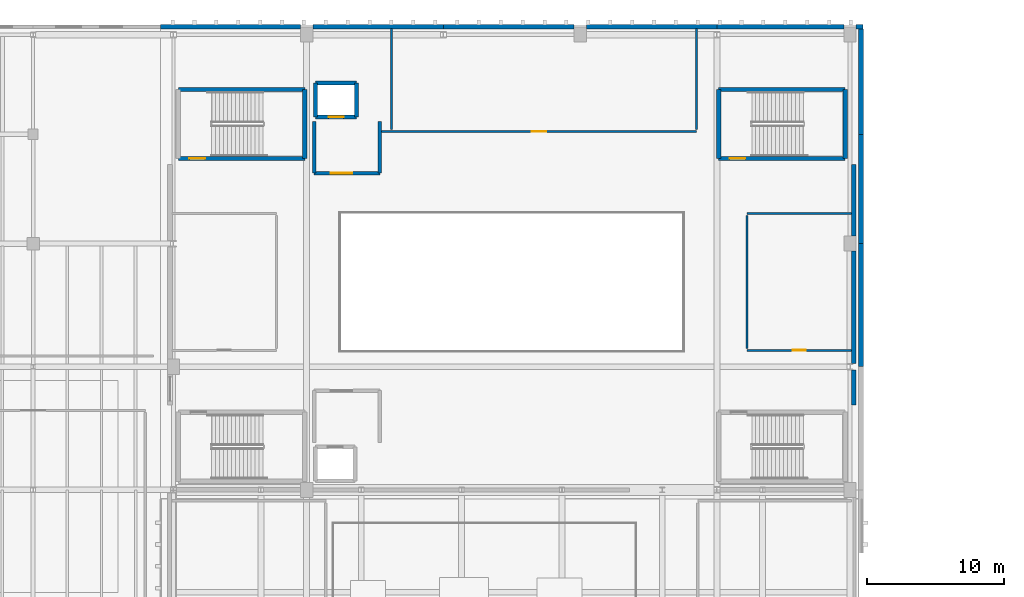
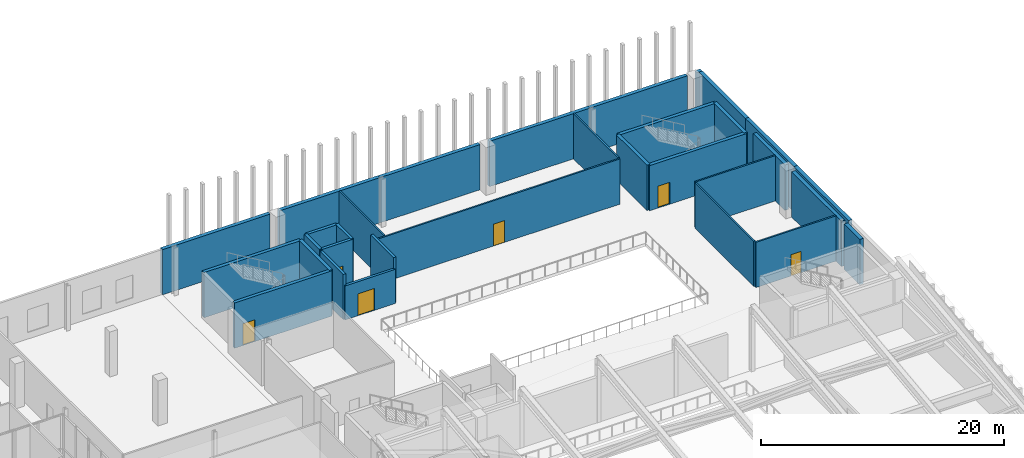
# One storey, part 22 of 30: 32 walls, 6 doors, 6 openings.
"""IFC4 building model written with IfcOpenShell, lengths in metres."""

from ifc_helpers import new_model, si_unit, direction, frame, frame_2d, origin, place, context, subcontext, project, spatial, rectangle, extrude, material, layer, layer_set, type_object, element, fill, save


model = new_model("IFC4")

# Units and contexts
model_context = context("Model", 3, precision=1e-05, world=origin(), true_north=direction((0.0, 1.0)))
body_context = subcontext(model_context, "Body", "Model", "MODEL_VIEW")
ifc_project = project(units=[si_unit("LENGTHUNIT", "METRE"), si_unit("AREAUNIT", "SQUARE_METRE"), si_unit("VOLUMEUNIT", "CUBIC_METRE"), si_unit("PLANEANGLEUNIT", "RADIAN"), si_unit("MASSUNIT", "GRAM", prefix="KILO")], contexts=[model_context])

# Site, building, storey
site_placement = place(None, origin())
site = spatial("IfcSite", under=ifc_project, at=site_placement, CompositionType="ELEMENT")
building_placement = place(site_placement, origin())
building = spatial("IfcBuilding", under=site, at=building_placement, Name="Trimount Lyric Opera House", CompositionType="ELEMENT")
storey_placement = place(building_placement, frame((0.0, 0.0, 24.800048828125)))
storey = spatial("IfcBuildingStorey", under=building, at=storey_placement, Name="L05", CompositionType="ELEMENT", Elevation=24.800048828125)

# Wall, opening, door
ifc_material_1 = material(Name="Fire-Rated Gypsum Board Partition")
ifc_layer_1 = layer(ifc_material_1, 0.14990234375)
ifc_layer_set_1 = layer_set([ifc_layer_1], Name="WL-PT150")
wall_type_1 = type_object("IfcWallType", Name="WL-PT150", PredefinedType="PARTITIONING", material=ifc_layer_set_1)
wall_1_placement = place(storey_placement, frame((106.199951171875, 94.199951171875, 0.0), z_axis=(0.0, 0.0, 1.0), x_axis=(1.0, 0.0, 0.0)))
wall_1 = element("IfcWall", 1, at=wall_1_placement, inside=storey, type_object=wall_type_1, Name="L05 East Counterweight Fly Gallery S partition", PredefinedType="PARTITIONING", context=body_context, shape_type="SweptSolid", body=[
    extrude(rectangle(XDim=7.66015625, YDim=0.14990234375, at=frame_2d((3.830078125, 0.0))), origin(), (0.0, 0.0, 1.0), 4.56005859375),
])
opening_1_placement = place(wall_1_placement, frame((3.35498046875, 0.0, 0.0)))
opening_1 = element("IfcOpeningElement", 2, at=opening_1_placement, cuts=wall_1, Name="Opening DT-RM2", PredefinedType="OPENING", context=body_context, shape_type="SweptSolid", body=[
    extrude(rectangle(XDim=0.949951171875, YDim=2.14990234375, at=frame_2d((0.47509765625, 1.074951171875))), frame((0.0, 0.0849609375, 0.0), z_axis=(0.0, -1.0, 0.0), x_axis=(1.0, 0.0, 0.0)), (0.0, 0.0, 1.0), 0.169921875),
])
ifc_material_2 = material(Name="Solid Core White Oak")
door_type_1 = type_object("IfcDoorType", Name="DT-RM2", OperationType="NOTDEFINED", PredefinedType="DOOR", material=ifc_material_2)
door_1_placement = place(opening_1_placement, origin())
door_1 = element("IfcDoor", 3, at=door_1_placement, inside=storey, type_object=door_type_1, Name="D-247", OperationType="SINGLE_SWING_LEFT", OverallHeight=2.14990234375, OverallWidth=0.949951171875, PredefinedType="DOOR", context=body_context, shape_type="SweptSolid", body=[
    extrude(rectangle(XDim=0.949951171875, YDim=2.14990234375, at=frame_2d((0.47509765625, 1.074951171875))), frame((0.0, 0.02490234375, 0.0), z_axis=(0.0, -1.0, 0.0), x_axis=(1.0, 0.0, 0.0)), (0.0, 0.0, 1.0), 0.050048828125),
])
fill(opening_1, door_1)

# Walls
wall_2_placement = place(storey_placement, frame((113.860107421875, 104.199951171875, 0.0), z_axis=(0.0, 0.0, 1.0), x_axis=(-1.0, 0.0, 0.0)))
element("IfcWall", 4, at=wall_2_placement, inside=storey, type_object=wall_type_1, Name="L05 East Counterweight Fly Gallery N partition", PredefinedType="PARTITIONING", context=body_context, shape_type="SweptSolid", body=[
    extrude(rectangle(XDim=7.66015625, YDim=0.14990234375, at=frame_2d((3.830078125, 0.0))), origin(), (0.0, 0.0, 1.0), 4.56005859375),
])
wall_3_placement = place(storey_placement, frame((106.199951171875, 104.050048828125, 0.0), z_axis=(0.0, 0.0, 1.0), x_axis=(0.0, -1.0, 0.0)))
element("IfcWall", 5, at=wall_3_placement, inside=storey, type_object=wall_type_1, Name="L05 East Counterweight Fly Gallery W partition", PredefinedType="PARTITIONING", context=body_context, shape_type="SweptSolid", body=[
    extrude(rectangle(XDim=9.699951171875, YDim=0.14990234375, at=frame_2d((4.85009765625, 0.0))), origin(), (0.0, 0.0, 1.0), 4.56005859375),
])

# Wall, opening, door
wall_4_placement = place(storey_placement, frame((79.489990234375, 110.199951171875, 0.0), z_axis=(0.0, 0.0, 1.0), x_axis=(1.0, 0.0, 0.0)))
wall_4 = element("IfcWall", 6, at=wall_4_placement, inside=storey, type_object=wall_type_1, Name="L05 Upstage Scenery Rigging Loft S partition", PredefinedType="PARTITIONING", context=body_context, shape_type="SweptSolid", body=[
    extrude(rectangle(XDim=23.010009765625, YDim=0.14990234375, at=frame_2d((11.5048828125, 0.0))), origin(), (0.0, 0.0, 1.0), 4.56005859375),
])
opening_2_placement = place(wall_4_placement, frame((10.97998046875, 0.0, 0.0)))
opening_2 = element("IfcOpeningElement", 7, at=opening_2_placement, cuts=wall_4, Name="Opening DT-RM3", PredefinedType="OPENING", context=body_context, shape_type="SweptSolid", body=[
    extrude(rectangle(XDim=1.050048828125, YDim=2.199951171875, at=frame_2d((0.52490234375, 1.10009765625))), frame((0.0, 0.0849609375, 0.0), z_axis=(0.0, -1.0, 0.0), x_axis=(1.0, 0.0, 0.0)), (0.0, 0.0, 1.0), 0.169921875),
])
ifc_material_3 = material(Name="Solid Core White Oak")
door_type_2 = type_object("IfcDoorType", Name="DT-RM3", OperationType="NOTDEFINED", PredefinedType="DOOR", material=ifc_material_3)
door_2_placement = place(opening_2_placement, origin())
door_2 = element("IfcDoor", 8, at=door_2_placement, inside=storey, type_object=door_type_2, Name="D-248", OperationType="SINGLE_SWING_RIGHT", OverallHeight=2.199951171875, OverallWidth=1.050048828125, PredefinedType="DOOR", context=body_context, shape_type="SweptSolid", body=[
    extrude(rectangle(XDim=1.050048828125, YDim=2.199951171875, at=frame_2d((0.52490234375, 1.10009765625))), frame((0.0, 0.02490234375, 0.0), z_axis=(0.0, -1.0, 0.0), x_axis=(1.0, 0.0, 0.0)), (0.0, 0.0, 1.0), 0.050048828125),
])
fill(opening_2, door_2)

# Walls
for number, where, z_axis, x_axis, name in (
    (9, (80.199951171875, 117.719970703125, 0.0), (0.0, 0.0, 1.0), (0.0, -1.0, 0.0), "L05 Upstage Scenery Rigging Loft W partition"),
    (10, (102.5, 110.35009765625, 0.0), (0.0, 0.0, 1.0), (0.0, 1.0, 0.0), "L05 Upstage Scenery Rigging Loft E partition"),
):
    element("IfcWall", number, at=place(storey_placement, frame(where, z_axis=z_axis, x_axis=x_axis)), inside=storey, type_object=wall_type_1, Name=name, PredefinedType="PARTITIONING", context=body_context, shape_type="SweptSolid", body=[
        extrude(rectangle(XDim=7.369873046875, YDim=0.14990234375, at=frame_2d((3.68505859375, 0.0))), origin(), (0.0, 0.0, 1.0), 4.56005859375),
    ])

# Wall, opening, door
ifc_material_4 = material(Name="Concrete C40/50", Category="concrete")
ifc_layer_2 = layer(ifc_material_4, 0.280029296875)
ifc_layer_set_2 = layer_set([ifc_layer_2], Name="WL-SH280")
wall_type_2 = type_object("IfcWallType", Name="WL-SH280", PredefinedType="SHEAR", material=ifc_layer_set_2)
wall_5_placement = place(storey_placement, frame((74.659912109375, 111.260009765625, 0.0), z_axis=(0.0, 0.0, 1.0), x_axis=(1.0, 0.0, 0.0)))
wall_5 = element("IfcWall", 11, at=wall_5_placement, inside=storey, type_object=wall_type_2, Name="Lift LF-05 L05 south shaft wall", PredefinedType="SHEAR", context=body_context, shape_type="SweptSolid", body=[
    extrude(rectangle(XDim=2.97998046875, YDim=0.280029296875, at=frame_2d((1.489990234375, 0.0))), origin(), (0.0, 0.0, 1.0), 4.56005859375),
])
opening_3_placement = place(wall_5_placement, frame((0.93994140625, 0.0, 0.0)))
opening_3 = element("IfcOpeningElement", 12, at=opening_3_placement, cuts=wall_5, Name="Opening DT-LD1", PredefinedType="OPENING", context=body_context, shape_type="SweptSolid", body=[
    extrude(rectangle(XDim=1.10009765625, YDim=2.199951171875, at=frame_2d((0.550048828125, 1.10009765625))), frame((0.0, 0.14990234375, 0.0), z_axis=(0.0, -1.0, 0.0), x_axis=(1.0, 0.0, 0.0)), (0.0, 0.0, 1.0), 0.300048828125),
])
ifc_material_5 = material(Name="Brushed Stainless Steel", Category="steel")
door_type_3 = type_object("IfcDoorType", Name="DT-LD1", OperationType="SLIDING_TO_LEFT", PredefinedType="DOOR", material=ifc_material_5)
door_3_placement = place(opening_3_placement, origin())
door_3 = element("IfcDoor", 13, at=door_3_placement, inside=storey, type_object=door_type_3, Name="D-103", OperationType="SLIDING_TO_LEFT", OverallHeight=2.199951171875, OverallWidth=1.10009765625, PredefinedType="DOOR", context=body_context, shape_type="SweptSolid", body=[
    extrude(rectangle(XDim=1.10009765625, YDim=2.199951171875, at=frame_2d((0.550048828125, 1.10009765625))), frame((0.0, 0.02490234375, 0.0), z_axis=(0.0, -1.0, 0.0), x_axis=(1.0, 0.0, 0.0)), (0.0, 0.0, 1.0), 0.050048828125),
])
fill(opening_3, door_3)

# Walls
wall_6_placement = place(storey_placement, frame((77.639892578125, 113.739990234375, 0.0), z_axis=(0.0, 0.0, 1.0), x_axis=(-1.0, 0.0, 0.0)))
element("IfcWall", 14, at=wall_6_placement, inside=storey, type_object=wall_type_2, Name="Lift LF-05 L05 north shaft wall", PredefinedType="SHEAR", context=body_context, shape_type="SweptSolid", body=[
    extrude(rectangle(XDim=2.97998046875, YDim=0.280029296875, at=frame_2d((1.489990234375, 0.0))), origin(), (0.0, 0.0, 1.0), 4.56005859375),
])
for number, where, z_axis, x_axis, name in (
    (15, (74.659912109375, 113.739990234375, 0.0), (0.0, 0.0, 1.0), (0.0, -1.0, 0.0), "Lift LF-05 L05 west shaft wall"),
    (16, (77.639892578125, 111.260009765625, 0.0), (0.0, 0.0, 1.0), (0.0, 1.0, 0.0), "Lift LF-05 L05 east shaft wall"),
):
    element("IfcWall", number, at=place(storey_placement, frame(where, z_axis=z_axis, x_axis=x_axis)), inside=storey, type_object=wall_type_2, Name=name, PredefinedType="SHEAR", context=body_context, shape_type="SweptSolid", body=[
        extrude(rectangle(XDim=2.47998046875, YDim=0.280029296875, at=frame_2d((1.239990234375, 0.0))), origin(), (0.0, 0.0, 1.0), 4.56005859375),
    ])

# Wall, opening, door
ifc_material_6 = material(Name="Concrete C40/50", Category="concrete")
ifc_layer_3 = layer(ifc_material_6, 0.320068359375)
ifc_layer_set_3 = layer_set([ifc_layer_3], Name="WL-SH320")
wall_type_3 = type_object("IfcWallType", Name="WL-SH320", PredefinedType="SHEAR", material=ifc_layer_set_3)
wall_7_placement = place(storey_placement, frame((64.625, 108.22509765625, 0.0), z_axis=(0.0, 0.0, 1.0), x_axis=(1.0, 0.0, 0.0)))
wall_7 = element("IfcWall", 17, at=wall_7_placement, inside=storey, type_object=wall_type_3, Name="K1 L05 south shaft wall", PredefinedType="SHEAR", context=body_context, shape_type="SweptSolid", body=[
    extrude(rectangle(XDim=9.25, YDim=0.320068359375, at=frame_2d((4.625, 0.0))), origin(), (0.0, 0.0, 1.0), 4.56005859375),
])
opening_4_placement = place(wall_7_placement, frame((0.800048828125, 0.0, 0.0)))
opening_4 = element("IfcOpeningElement", 18, at=opening_4_placement, cuts=wall_7, Name="Opening DT-ST1", PredefinedType="OPENING", context=body_context, shape_type="SweptSolid", body=[
    extrude(rectangle(XDim=1.14990234375, YDim=2.199951171875, at=frame_2d((0.574951171875, 1.10009765625))), frame((0.0, 0.169921875, 0.0), z_axis=(0.0, -1.0, 0.0), x_axis=(1.0, 0.0, 0.0)), (0.0, 0.0, 1.0), 0.340087890625),
])
ifc_material_7 = material(Name="Fire-Rated Hollow Steel", Category="steel")
door_type_4 = type_object("IfcDoorType", Name="DT-ST1", OperationType="NOTDEFINED", PredefinedType="DOOR", material=ifc_material_7)
door_4_placement = place(opening_4_placement, origin())
door_4 = element("IfcDoor", 19, at=door_4_placement, inside=storey, type_object=door_type_4, Name="D-013", OperationType="SINGLE_SWING_LEFT", OverallHeight=2.199951171875, OverallWidth=1.14990234375, PredefinedType="DOOR", context=body_context, shape_type="SweptSolid", body=[
    extrude(rectangle(XDim=1.14990234375, YDim=2.199951171875, at=frame_2d((0.574951171875, 1.10009765625))), frame((0.0, 0.02490234375, 0.0), z_axis=(0.0, -1.0, 0.0), x_axis=(1.0, 0.0, 0.0)), (0.0, 0.0, 1.0), 0.050048828125),
])
fill(opening_4, door_4)

# Walls
wall_8_placement = place(storey_placement, frame((73.875, 113.27490234375, 0.0), z_axis=(0.0, 0.0, 1.0), x_axis=(-1.0, 0.0, 0.0)))
element("IfcWall", 20, at=wall_8_placement, inside=storey, type_object=wall_type_3, Name="K1 L05 north shaft wall", PredefinedType="SHEAR", context=body_context, shape_type="SweptSolid", body=[
    extrude(rectangle(XDim=9.25, YDim=0.320068359375, at=frame_2d((4.625, 0.0))), origin(), (0.0, 0.0, 1.0), 4.56005859375),
])
wall_9_placement = place(storey_placement, frame((73.875, 108.22509765625, 0.0), z_axis=(0.0, 0.0, 1.0), x_axis=(0.0, 1.0, 0.0)))
element("IfcWall", 21, at=wall_9_placement, inside=storey, type_object=wall_type_3, Name="K1 L05 east shaft wall", PredefinedType="SHEAR", context=body_context, shape_type="SweptSolid", body=[
    extrude(rectangle(XDim=5.0498046875, YDim=0.320068359375, at=frame_2d((2.52490234375, 0.0))), origin(), (0.0, 0.0, 1.0), 4.56005859375),
])

# Wall, opening, door
wall_10_placement = place(storey_placement, frame((104.125, 108.22509765625, 0.0), z_axis=(0.0, 0.0, 1.0), x_axis=(1.0, 0.0, 0.0)))
wall_10 = element("IfcWall", 22, at=wall_10_placement, inside=storey, type_object=wall_type_3, Name="K2 L05 south shaft wall", PredefinedType="SHEAR", context=body_context, shape_type="SweptSolid", body=[
    extrude(rectangle(XDim=9.25, YDim=0.320068359375, at=frame_2d((4.625, 0.0))), origin(), (0.0, 0.0, 1.0), 4.56005859375),
])
opening_5_placement = place(wall_10_placement, frame((0.800048828125, 0.0, 0.0)))
opening_5 = element("IfcOpeningElement", 23, at=opening_5_placement, cuts=wall_10, Name="Opening DT-ST1", PredefinedType="OPENING", context=body_context, shape_type="SweptSolid", body=[
    extrude(rectangle(XDim=1.14990234375, YDim=2.199951171875, at=frame_2d((0.574951171875, 1.10009765625))), frame((0.0, 0.169921875, 0.0), z_axis=(0.0, -1.0, 0.0), x_axis=(1.0, 0.0, 0.0)), (0.0, 0.0, 1.0), 0.340087890625),
])
door_5_placement = place(opening_5_placement, origin())
door_5 = element("IfcDoor", 24, at=door_5_placement, inside=storey, type_object=door_type_4, Name="D-021", OperationType="SINGLE_SWING_LEFT", OverallHeight=2.199951171875, OverallWidth=1.14990234375, PredefinedType="DOOR", context=body_context, shape_type="SweptSolid", body=[
    extrude(rectangle(XDim=1.14990234375, YDim=2.199951171875, at=frame_2d((0.574951171875, 1.10009765625))), frame((0.0, 0.02490234375, 0.0), z_axis=(0.0, -1.0, 0.0), x_axis=(1.0, 0.0, 0.0)), (0.0, 0.0, 1.0), 0.050048828125),
])
fill(opening_5, door_5)

# Walls
wall_11_placement = place(storey_placement, frame((113.375, 113.27490234375, 0.0), z_axis=(0.0, 0.0, 1.0), x_axis=(-1.0, 0.0, 0.0)))
element("IfcWall", 25, at=wall_11_placement, inside=storey, type_object=wall_type_3, Name="K2 L05 north shaft wall", PredefinedType="SHEAR", context=body_context, shape_type="SweptSolid", body=[
    extrude(rectangle(XDim=9.25, YDim=0.320068359375, at=frame_2d((4.625, 0.0))), origin(), (0.0, 0.0, 1.0), 4.56005859375),
])
for number, where, z_axis, x_axis, name in (
    (26, (104.125, 113.27490234375, 0.0), (0.0, 0.0, 1.0), (0.0, -1.0, 0.0), "K2 L05 west shaft wall"),
    (27, (113.375, 108.22509765625, 0.0), (0.0, 0.0, 1.0), (0.0, 1.0, 0.0), "K2 L05 east shaft wall"),
):
    element("IfcWall", number, at=place(storey_placement, frame(where, z_axis=z_axis, x_axis=x_axis)), inside=storey, type_object=wall_type_3, Name=name, PredefinedType="SHEAR", context=body_context, shape_type="SweptSolid", body=[
        extrude(rectangle(XDim=5.0498046875, YDim=0.320068359375, at=frame_2d((2.52490234375, 0.0))), origin(), (0.0, 0.0, 1.0), 4.56005859375),
    ])
ifc_material_8 = material(Name="Concrete C40/50", Category="concrete")
ifc_layer_4 = layer(ifc_material_8, 0.35009765625)
ifc_layer_set_4 = layer_set([ifc_layer_4], Name="WL-SH350")
wall_type_4 = type_object("IfcWallType", Name="WL-SH350", PredefinedType="SHEAR", material=ifc_layer_set_4)
wall_12_placement = place(storey_placement, frame((114.0, 90.199951171875, 0.0), z_axis=(0.0, 0.0, 1.0), x_axis=(0.0, 1.0, 0.0)))
element("IfcWall", 28, at=wall_12_placement, inside=storey, type_object=wall_type_4, Name="L05 fly-tower east shear wall", PredefinedType="SHEAR", context=body_context, shape_type="SweptSolid", body=[
    extrude(rectangle(XDim=2.567626953125, YDim=0.35009765625, at=frame_2d((1.28369140625, 0.0))), origin(), (0.0, 0.0, 1.0), 4.56005859375),
])
wall_13_placement = place(storey_placement, frame((114.0, 93.232421875, 0.0), z_axis=(0.0, 0.0, 1.0), x_axis=(0.0, 1.0, 0.0)))
element("IfcWall", 29, at=wall_13_placement, inside=storey, type_object=wall_type_4, Name="L05 fly-tower east shear wall", PredefinedType="SHEAR", context=body_context, shape_type="SweptSolid", body=[
    extrude(rectangle(XDim=8.217529296875, YDim=0.35009765625, at=frame_2d((4.10888671875, 0.0))), origin(), (0.0, 0.0, 1.0), 4.56005859375),
])
wall_14_placement = place(storey_placement, frame((114.0, 102.550048828125, 0.0), z_axis=(0.0, 0.0, 1.0), x_axis=(0.0, 1.0, 0.0)))
element("IfcWall", 30, at=wall_14_placement, inside=storey, type_object=wall_type_4, Name="L05 fly-tower east shear wall", PredefinedType="SHEAR", context=body_context, shape_type="SweptSolid", body=[
    extrude(rectangle(XDim=5.25, YDim=0.35009765625, at=frame_2d((2.625, 0.0))), origin(), (0.0, 0.0, 1.0), 4.56005859375),
])
wall_15_placement = place(storey_placement, frame((63.320068359375, 117.860107421875, 0.0), z_axis=(0.0, 0.0, 1.0), x_axis=(1.0, 0.0, 0.0)))
element("IfcWall", 31, at=wall_15_placement, inside=storey, type_object=wall_type_4, Name="L05 exterior facade wall 343", PredefinedType="SHEAR", context=body_context, shape_type="SweptSolid", body=[
    extrude(rectangle(XDim=10.22998046875, YDim=0.35009765625, at=frame_2d((5.114990234375, 0.0))), origin(), (0.0, 0.0, 1.0), 4.56005859375),
])
for number, where, z_axis, x_axis, name in (
    (32, (74.449951171875, 117.860107421875, 0.0), (0.0, 0.0, 1.0), (1.0, 0.0, 0.0), "L05 exterior facade wall 344"),
    (33, (84.0, 117.860107421875, 0.0), (0.0, 0.0, 1.0), (1.0, 0.0, 0.0), "L05 exterior facade wall 345"),
    (34, (94.449951171875, 117.860107421875, 0.0), (0.0, 0.0, 1.0), (1.0, 0.0, 0.0), "L05 exterior facade wall 346"),
):
    element("IfcWall", number, at=place(storey_placement, frame(where, z_axis=z_axis, x_axis=x_axis)), inside=storey, type_object=wall_type_4, Name=name, PredefinedType="SHEAR", context=body_context, shape_type="SweptSolid", body=[
        extrude(rectangle(XDim=9.550048828125, YDim=0.35009765625, at=frame_2d((4.77490234375, 0.0))), origin(), (0.0, 0.0, 1.0), 4.56005859375),
    ])
wall_16_placement = place(storey_placement, frame((104.0, 117.860107421875, 0.0), z_axis=(0.0, 0.0, 1.0), x_axis=(1.0, 0.0, 0.0)))
element("IfcWall", 35, at=wall_16_placement, inside=storey, type_object=wall_type_4, Name="L05 exterior facade wall 347", PredefinedType="SHEAR", context=body_context, shape_type="SweptSolid", body=[
    extrude(rectangle(XDim=9.2900390625, YDim=0.35009765625, at=frame_2d((4.64501953125, 0.0))), origin(), (0.0, 0.0, 1.0), 4.56005859375),
])
wall_17_placement = place(storey_placement, frame((114.18994140625, 117.860107421875, 0.0), z_axis=(0.0, 0.0, 1.0), x_axis=(1.0, 0.0, 0.0)))
element("IfcWall", 36, at=wall_17_placement, inside=storey, type_object=wall_type_4, Name="L05 exterior facade wall 347", PredefinedType="SHEAR", context=body_context, shape_type="SweptSolid", body=[
    extrude(rectangle(XDim=0.489990234375, YDim=0.35009765625, at=frame_2d((0.2451171875, 0.0))), origin(), (0.0, 0.0, 1.0), 4.56005859375),
])
wall_18_placement = place(storey_placement, frame((114.5400390625, 117.679931640625, 0.0), z_axis=(0.0, 0.0, 1.0), x_axis=(0.0, -1.0, 0.0)))
element("IfcWall", 37, at=wall_18_placement, inside=storey, type_object=wall_type_4, Name="L05 exterior facade wall 348", PredefinedType="SHEAR", context=body_context, shape_type="SweptSolid", body=[
    extrude(rectangle(XDim=7.679931640625, YDim=0.35009765625, at=frame_2d((3.83984375, 0.0))), origin(), (0.0, 0.0, 1.0), 4.56005859375),
])
wall_19_placement = place(storey_placement, frame((114.5400390625, 110.0, 0.0), z_axis=(0.0, 0.0, 1.0), x_axis=(0.0, -1.0, 0.0)))
element("IfcWall", 38, at=wall_19_placement, inside=storey, type_object=wall_type_4, Name="L05 exterior facade wall 349", PredefinedType="SHEAR", context=body_context, shape_type="SweptSolid", body=[
    extrude(rectangle(XDim=8.0, YDim=0.35009765625, at=frame_2d((4.0, 0.0))), origin(), (0.0, 0.0, 1.0), 4.56005859375),
])
wall_20_placement = place(storey_placement, frame((114.5400390625, 102.0, 0.0), z_axis=(0.0, 0.0, 1.0), x_axis=(0.0, -1.0, 0.0)))
element("IfcWall", 39, at=wall_20_placement, inside=storey, type_object=wall_type_4, Name="L05 exterior facade wall 350", PredefinedType="SHEAR", context=body_context, shape_type="SweptSolid", body=[
    extrude(rectangle(XDim=9.0, YDim=0.35009765625, at=frame_2d((4.5, 0.0))), origin(), (0.0, 0.0, 1.0), 4.56005859375),
])

# Wall, opening, door
ifc_material_9 = material(Name="Concrete C35/45", Category="concrete")
ifc_layer_5 = layer(ifc_material_9, 0.239990234375)
ifc_layer_set_5 = layer_set([ifc_layer_5], Name="WL-SW240")
wall_type_5 = type_object("IfcWallType", Name="WL-SW240", PredefinedType="SOLIDWALL", material=ifc_layer_set_5)
wall_21_placement = place(storey_placement, frame((74.550048828125, 107.14990234375, 0.0), z_axis=(0.0, 0.0, 1.0), x_axis=(1.0, 0.0, 0.0)))
wall_21 = element("IfcWall", 40, at=wall_21_placement, inside=storey, type_object=wall_type_5, Name="L05 firefighting lobby LF-05 entry wall", PredefinedType="SOLIDWALL", context=body_context, shape_type="SweptSolid", body=[
    extrude(rectangle(XDim=4.800048828125, YDim=0.239990234375, at=frame_2d((2.39990234375, 0.0))), origin(), (0.0, 0.0, 1.0), 3.431884765625),
])
opening_6_placement = place(wall_21_placement, frame((1.199951171875, 0.0, 0.0)))
opening_6 = element("IfcOpeningElement", 41, at=opening_6_placement, cuts=wall_21, Name="Opening DT-FF1", PredefinedType="OPENING", context=body_context, shape_type="SweptSolid", body=[
    extrude(rectangle(XDim=1.60009765625, YDim=2.199951171875, at=frame_2d((0.800048828125, 1.10009765625))), frame((0.0, 0.1298828125, 0.0), z_axis=(0.0, -1.0, 0.0), x_axis=(1.0, 0.0, 0.0)), (0.0, 0.0, 1.0), 0.260009765625),
])
ifc_material_10 = material(Name="Fire-Rated Hollow Steel", Category="steel")
door_type_5 = type_object("IfcDoorType", Name="DT-FF1", OperationType="DOUBLE_DOOR_SINGLE_SWING", PredefinedType="DOOR", material=ifc_material_10)
door_6_placement = place(opening_6_placement, origin())
door_6 = element("IfcDoor", 42, at=door_6_placement, inside=storey, type_object=door_type_5, Name="D-104", OperationType="DOUBLE_DOOR_SINGLE_SWING", OverallHeight=2.199951171875, OverallWidth=1.60009765625, PredefinedType="DOOR", context=body_context, shape_type="SweptSolid", body=[
    extrude(rectangle(XDim=1.60009765625, YDim=2.199951171875, at=frame_2d((0.800048828125, 1.10009765625))), frame((0.0, 0.02490234375, 0.0), z_axis=(0.0, -1.0, 0.0), x_axis=(1.0, 0.0, 0.0)), (0.0, 0.0, 1.0), 0.050048828125),
])
fill(opening_6, door_6)

# Walls
for number, where, z_axis, x_axis, name in (
    (43, (74.550048828125, 110.949951171875, 0.0), (0.0, 0.0, 1.0), (0.0, -1.0, 0.0), "L05 firefighting lobby LF-05 west wall"),
    (44, (79.35009765625, 107.14990234375, 0.0), (0.0, 0.0, 1.0), (0.0, 1.0, 0.0), "L05 firefighting lobby LF-05 east wall"),
):
    element("IfcWall", number, at=place(storey_placement, frame(where, z_axis=z_axis, x_axis=x_axis)), inside=storey, type_object=wall_type_5, Name=name, PredefinedType="SOLIDWALL", context=body_context, shape_type="SweptSolid", body=[
        extrude(rectangle(XDim=3.800048828125, YDim=0.239990234375, at=frame_2d((1.89990234375, 0.0))), origin(), (0.0, 0.0, 1.0), 4.56005859375),
    ])

save(model, "model.ifc")
